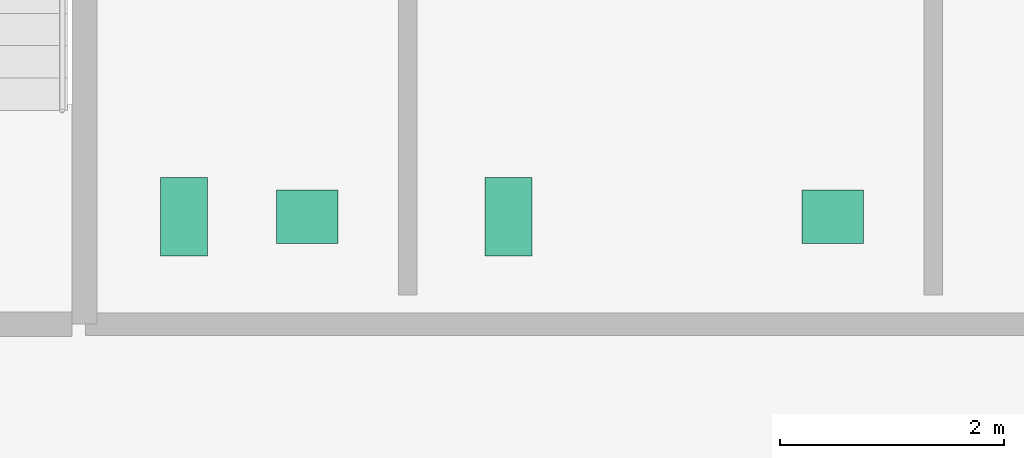
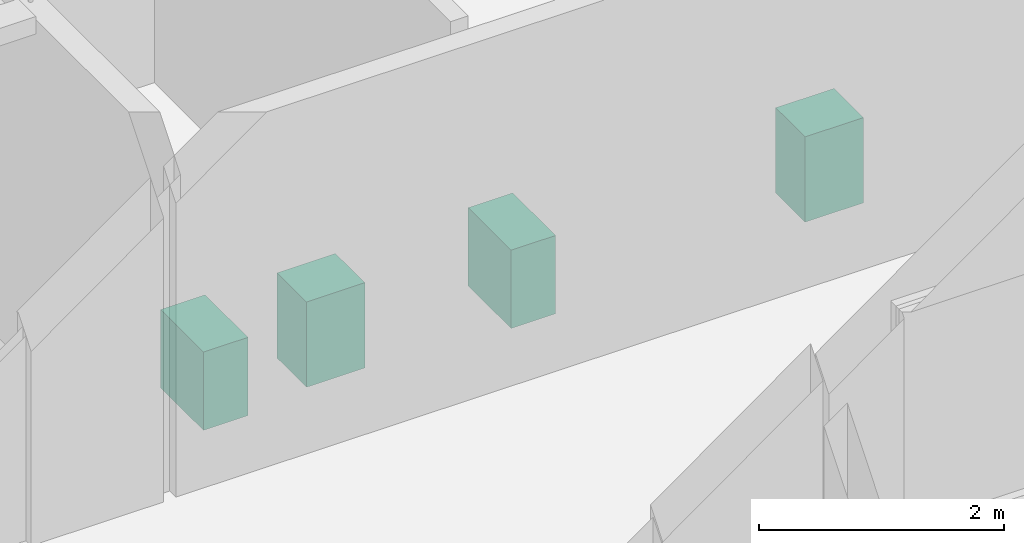
# One storey, part 13 of 13: 4 sanitary terminals.
"""IFC4 building model written with IfcOpenShell, lengths in metres."""

from ifc_helpers import new_model, si_unit, direction, frame, origin, origin_2d, place, context, subcontext, project, spatial, rectangle, extrude, material, type_object, element, save


model = new_model("IFC4")

# Units and contexts
model_context = context("Model", 3, precision=1e-05, world=origin(), true_north=direction((0.0, 1.0)))
body_context = subcontext(model_context, "Body", "Model", "MODEL_VIEW")
ifc_project = project(units=[si_unit("LENGTHUNIT", "METRE"), si_unit("AREAUNIT", "SQUARE_METRE"), si_unit("VOLUMEUNIT", "CUBIC_METRE"), si_unit("PLANEANGLEUNIT", "RADIAN"), si_unit("MASSUNIT", "GRAM", prefix="KILO")], contexts=[model_context])

# Site, building, storey
site_placement = place(None, origin())
site = spatial("IfcSite", under=ifc_project, at=site_placement, CompositionType="ELEMENT")
building_placement = place(site_placement, origin())
building = spatial("IfcBuilding", under=site, at=building_placement, Name="Norrvale University Quadrangle", CompositionType="ELEMENT")
storey_placement = place(building_placement, frame((0.0, 0.0, 131.800048828125)))
storey = spatial("IfcBuildingStorey", under=building, at=storey_placement, Name="L33", CompositionType="ELEMENT", Elevation=131.800048828125)

# Sanitary terminals
ifc_material = material(Name="Vitreous China Sanitaryware")
sanitary_terminal_type_1 = type_object("IfcSanitaryTerminalType", Name="Sanitary Wash Basin", PredefinedType="WASHHANDBASIN", material=ifc_material)
for number, where, z_axis, x_axis, name in (
    (1, (8.300048828125, 41.10009765625, 0.0), (0.0, 0.0, 1.0), (1.0, 0.0, 0.0), "Accessible Countertop Washbasin L33-1"),
    (2, (13.0, 41.10009765625, 0.0), (0.0, 0.0, 1.0), (1.0, 0.0, 0.0), "Accessible Countertop Washbasin L33-2"),
):
    element("IfcSanitaryTerminal", number, at=place(storey_placement, frame(where, z_axis=z_axis, x_axis=x_axis)), inside=storey, type_object=sanitary_terminal_type_1, Name=name, PredefinedType="WASHHANDBASIN", context=body_context, shape_type="SweptSolid", body=[
        extrude(rectangle(XDim=0.550048828125, YDim=0.47998046875, at=origin_2d()), origin(), (0.0, 0.0, 1.0), 0.85009765625),
    ])
sanitary_terminal_type_2 = type_object("IfcSanitaryTerminalType", Name="Sanitary Water Closet", PredefinedType="TOILETPAN", material=ifc_material)
for number, where, z_axis, x_axis, name in (
    (3, (7.199951171875, 41.10009765625, 0.0), (0.0, 0.0, 1.0), (1.0, 0.0, 0.0), "Wall-Hung Water Closet L33-1"),
    (4, (10.10009765625, 41.10009765625, 0.0), (0.0, 0.0, 1.0), (1.0, 0.0, 0.0), "Wall-Hung Water Closet L33-2"),
):
    element("IfcSanitaryTerminal", number, at=place(storey_placement, frame(where, z_axis=z_axis, x_axis=x_axis)), inside=storey, type_object=sanitary_terminal_type_2, Name=name, PredefinedType="TOILETPAN", context=body_context, shape_type="SweptSolid", body=[
        extrude(rectangle(XDim=0.419921875, YDim=0.699951171875, at=origin_2d()), origin(), (0.0, 0.0, 1.0), 0.780029296875),
    ])

save(model, "model.ifc")
